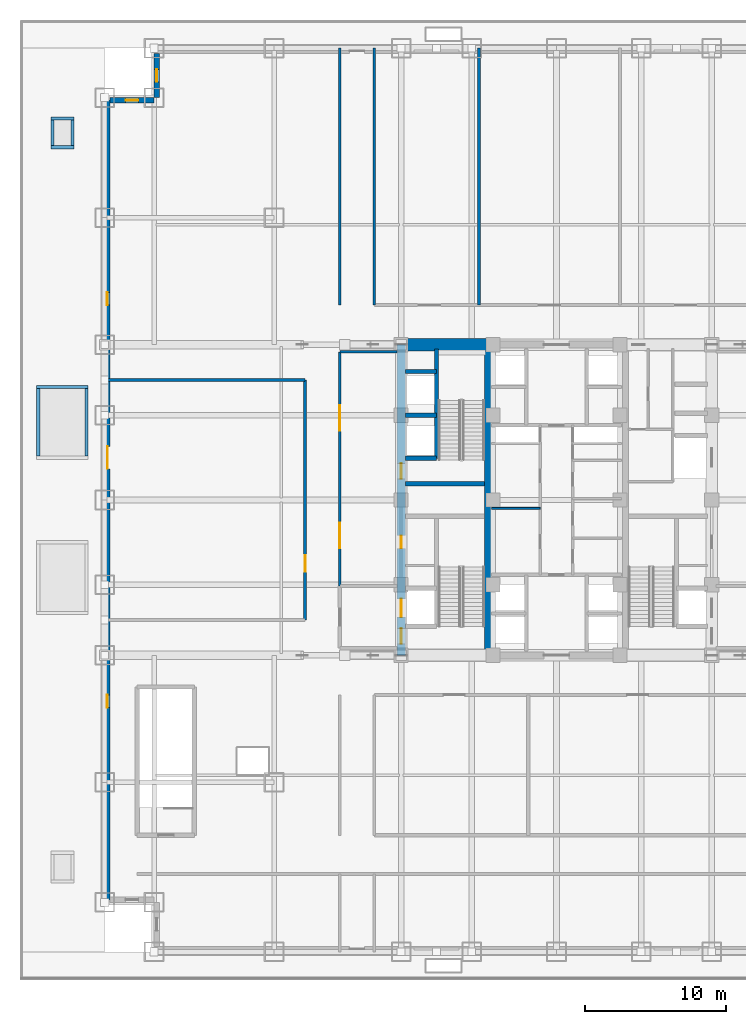
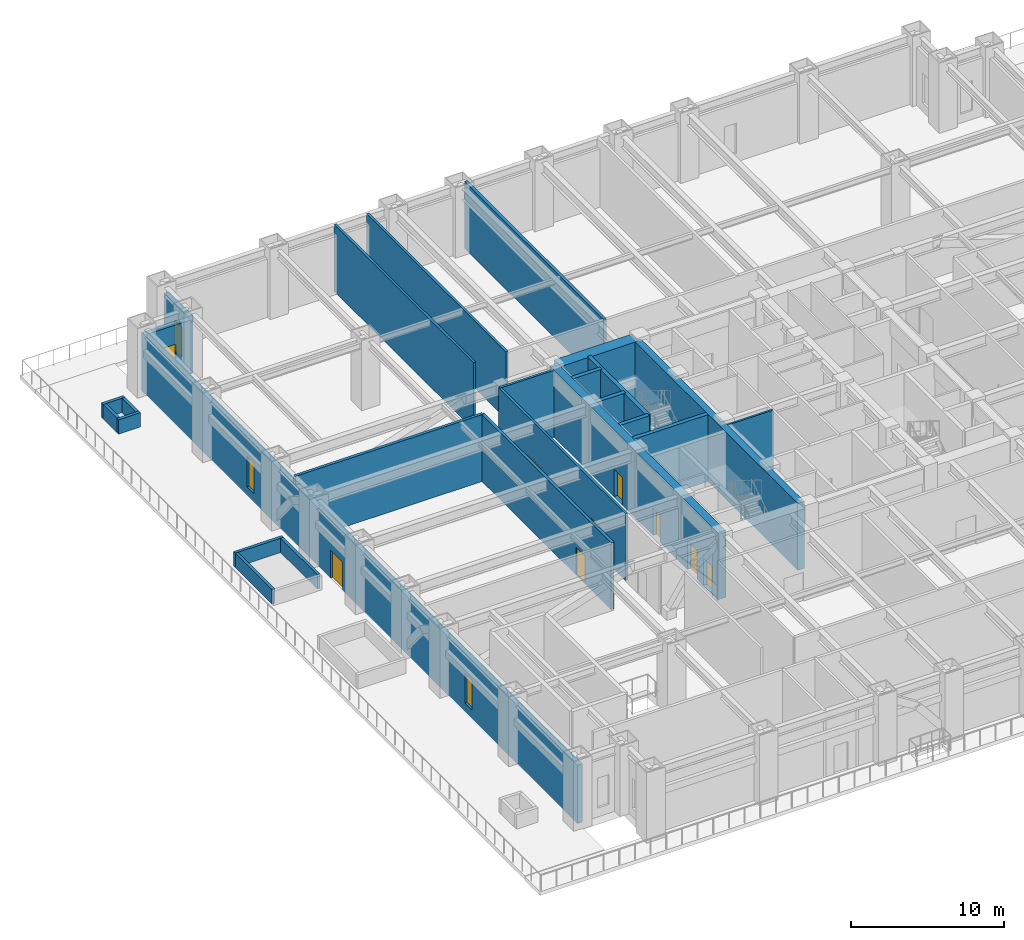
# One storey, part 13 of 21: 26 walls, 8 doors, 4 windows, 12 openings.
"""IFC4 building model written with IfcOpenShell, lengths in metres."""

from ifc_helpers import new_model, si_unit, direction, frame, frame_2d, origin, place, context, subcontext, project, spatial, rectangle, extrude, source, transform, mapped, material, layer, layer_set, type_object, element, fill, save


model = new_model("IFC4")

# Units and contexts
model_context = context("Model", 3, precision=1e-05, world=origin(), true_north=direction((0.0, 1.0)))
body_context = subcontext(model_context, "Body", "Model", "MODEL_VIEW")
ifc_project = project(units=[si_unit("LENGTHUNIT", "METRE"), si_unit("AREAUNIT", "SQUARE_METRE"), si_unit("VOLUMEUNIT", "CUBIC_METRE"), si_unit("PLANEANGLEUNIT", "RADIAN"), si_unit("MASSUNIT", "GRAM", prefix="KILO")], contexts=[model_context])

# Site, building, storey
site_placement = place(None, origin())
site = spatial("IfcSite", under=ifc_project, at=site_placement, CompositionType="ELEMENT")
building_placement = place(site_placement, origin())
building = spatial("IfcBuilding", under=site, at=building_placement, Name="Khorayat Bourse Tower", CompositionType="ELEMENT")
storey_placement = place(building_placement, frame((0.0, 0.0, 27.0)))
storey = spatial("IfcBuildingStorey", under=building, at=storey_placement, Name="L05", CompositionType="ELEMENT", Elevation=27.0)

# Wall, openings, doors
ifc_material_1 = material(Name="Concrete C60/75", Category="concrete")
ifc_layer_1 = layer(ifc_material_1, 0.60009765625)
ifc_layer_set_1 = layer_set([ifc_layer_1], Name="Concrete C60/75")
wall_type_1 = type_object("IfcWallType", Name="WAL-CORE-600", PredefinedType="SHEAR", material=ifc_layer_set_1)
shared_shape_1 = source(origin(), body_context, "Body", "SweptSolid", [
    extrude(rectangle(XDim=22.0, YDim=0.60009765625, at=frame_2d((11.0, 0.0))), origin(), (0.0, 0.0, 1.0), 5.340087890625),
])
wall_1_placement = place(storey_placement, frame((-11.0, -11.0, 0.0), z_axis=(0.0, 0.0, 1.0), x_axis=(0.0, 1.0, 0.0)))
wall_1 = element("IfcWall", 1, at=wall_1_placement, inside=storey, type_object=wall_type_1, Name="L05 Core Shear Wall CORE-W", PredefinedType="SHEAR", context=body_context, shape_type="MappedRepresentation", body=[
    mapped(shared_shape_1, transform((0.0, 0.0, 0.0), scale=1.0)),
])
shared_shape_2 = source(origin(), body_context, "Body", "SweptSolid", [
    extrude(rectangle(XDim=1.10009765625, YDim=2.199951171875, at=frame_2d((0.550048828125, 1.10009765625))), frame((0.0, 0.31005859375, 0.0), z_axis=(0.0, -1.0, 0.0), x_axis=(1.0, 0.0, 0.0)), (0.0, 0.0, 1.0), 0.6201171875),
])
opening_1_placement = place(wall_1_placement, frame((0.800048828125, 0.0, 0.0)))
opening_1 = element("IfcOpeningElement", 2, at=opening_1_placement, cuts=wall_1, Name="Opening DI-01", PredefinedType="OPENING", context=body_context, shape_type="MappedRepresentation", body=[
    mapped(shared_shape_2, transform((0.0, 0.0, 0.0), scale=1.0)),
])
opening_2_placement = place(wall_1_placement, frame((12.5, 0.0, 0.0)))
opening_2 = element("IfcOpeningElement", 3, at=opening_2_placement, cuts=wall_1, Name="Opening DI-01", PredefinedType="OPENING", context=body_context, shape_type="MappedRepresentation", body=[
    mapped(shared_shape_2, transform((0.0, 0.0, 0.0), scale=1.0)),
])
shared_shape_3 = source(origin(), body_context, "Body", "SweptSolid", [
    extrude(rectangle(XDim=0.89990234375, YDim=2.14990234375, at=frame_2d((0.449951171875, 1.074951171875))), frame((0.0, 0.31005859375, 0.0), z_axis=(0.0, -1.0, 0.0), x_axis=(1.0, 0.0, 0.0)), (0.0, 0.0, 1.0), 0.6201171875),
])
opening_3_placement = place(wall_1_placement, frame((7.574951171875, 0.0, 0.0)))
opening_3 = element("IfcOpeningElement", 4, at=opening_3_placement, cuts=wall_1, Name="Opening DI-06", PredefinedType="OPENING", context=body_context, shape_type="MappedRepresentation", body=[
    mapped(shared_shape_3, transform((0.0, 0.0, 0.0), scale=1.0)),
])
shared_shape_4 = source(origin(), body_context, "Body", "SweptSolid", [
    extrude(rectangle(XDim=1.300048828125, YDim=2.300048828125, at=frame_2d((0.64990234375, 1.14990234375))), frame((0.0, 0.31005859375, 0.0), z_axis=(0.0, -1.0, 0.0), x_axis=(1.0, 0.0, 0.0)), (0.0, 0.0, 1.0), 0.6201171875),
])
opening_4_placement = place(wall_1_placement, frame((2.699951171875, 0.0, 0.0)))
opening_4 = element("IfcOpeningElement", 5, at=opening_4_placement, cuts=wall_1, Name="Opening LD-02", PredefinedType="OPENING", context=body_context, shape_type="MappedRepresentation", body=[
    mapped(shared_shape_4, transform((0.0, 0.0, 0.0), scale=1.0)),
])
ifc_material_2 = material(Name="Fire-rated steel acoustic leaf", Category="steel")
door_type_1 = type_object("IfcDoorType", Name="DR-INT-STAIR-1100", OperationType="NOTDEFINED", PredefinedType="DOOR", material=ifc_material_2)
shared_shape_5 = source(origin(), body_context, "Body", "SweptSolid", [
    extrude(rectangle(XDim=1.10009765625, YDim=2.199951171875, at=frame_2d((0.550048828125, 1.10009765625))), frame((0.0, 0.02490234375, 0.0), z_axis=(0.0, -1.0, 0.0), x_axis=(1.0, 0.0, 0.0)), (0.0, 0.0, 1.0), 0.050048828125),
])
door_1_placement = place(opening_1_placement, origin())
door_1 = element("IfcDoor", 6, at=door_1_placement, inside=storey, type_object=door_type_1, Name="L05 Exit Stair 1 Door", OperationType="SINGLE_SWING_RIGHT", OverallHeight=2.199951171875, OverallWidth=1.10009765625, PredefinedType="DOOR", context=body_context, shape_type="MappedRepresentation", body=[
    mapped(shared_shape_5, transform((0.0, 0.0, 0.0), scale=1.0)),
])
fill(opening_1, door_1)
door_2_placement = place(opening_2_placement, origin())
door_2 = element("IfcDoor", 7, at=door_2_placement, inside=storey, type_object=door_type_1, Name="L05 Exit Stair 2 Door", OperationType="SINGLE_SWING_RIGHT", OverallHeight=2.199951171875, OverallWidth=1.10009765625, PredefinedType="DOOR", context=body_context, shape_type="MappedRepresentation", body=[
    mapped(shared_shape_5, transform((0.0, 0.0, 0.0), scale=1.0)),
])
fill(opening_2, door_2)
ifc_material_3 = material(Name="Moisture-resistant laminate washroom door")
door_type_2 = type_object("IfcDoorType", Name="DR-INT-WC-900", OperationType="NOTDEFINED", PredefinedType="DOOR", material=ifc_material_3)
shared_shape_6 = source(origin(), body_context, "Body", "SweptSolid", [
    extrude(rectangle(XDim=0.89990234375, YDim=2.14990234375, at=frame_2d((0.449951171875, 1.074951171875))), frame((0.0, 0.02490234375, 0.0), z_axis=(0.0, -1.0, 0.0), x_axis=(1.0, 0.0, 0.0)), (0.0, 0.0, 1.0), 0.050048828125),
])
door_3_placement = place(opening_3_placement, origin())
door_3 = element("IfcDoor", 8, at=door_3_placement, inside=storey, type_object=door_type_2, Name="L05 UPS Switch Plant Room Door", OperationType="SINGLE_SWING_RIGHT", OverallHeight=2.14990234375, OverallWidth=0.89990234375, PredefinedType="DOOR", context=body_context, shape_type="MappedRepresentation", body=[
    mapped(shared_shape_6, transform((0.0, 0.0, 0.0), scale=1.0)),
])
fill(opening_3, door_3)
ifc_material_4 = material(Name="Fire-rated stainless-steel sliding landing door", Category="steel")
door_type_3 = type_object("IfcDoorType", Name="DR-LIFT-FF-1300", OperationType="NOTDEFINED", PredefinedType="DOOR", material=ifc_material_4)
shared_shape_7 = source(origin(), body_context, "Body", "SweptSolid", [
    extrude(rectangle(XDim=1.300048828125, YDim=2.300048828125, at=frame_2d((0.64990234375, 1.14990234375))), frame((0.0, 0.02490234375, 0.0), z_axis=(0.0, -1.0, 0.0), x_axis=(1.0, 0.0, 0.0)), (0.0, 0.0, 1.0), 0.050048828125),
])
door_4_placement = place(opening_4_placement, origin())
door_4 = element("IfcDoor", 9, at=door_4_placement, inside=storey, type_object=door_type_3, Name="L05 Lift FFL-01 Sliding Landing Door", OperationType="SLIDING_TO_LEFT", OverallHeight=2.300048828125, OverallWidth=1.300048828125, PredefinedType="DOOR", context=body_context, shape_type="MappedRepresentation", body=[
    mapped(shared_shape_7, transform((0.0, 0.0, 0.0), scale=1.0)),
])
fill(opening_4, door_4)

# Walls
ifc_material_5 = material(Name="Concrete C52/65", Category="concrete")
ifc_layer_2 = layer(ifc_material_5, 0.5)
ifc_layer_set_2 = layer_set([ifc_layer_2], Name="Concrete C52/65")
wall_type_2 = type_object("IfcWallType", Name="WAL-CORE-500", PredefinedType="SHEAR", material=ifc_layer_set_2)
shared_shape_8 = source(origin(), body_context, "Body", "SweptSolid", [
    extrude(rectangle(XDim=21.39990234375, YDim=0.5, at=frame_2d((10.699951171875, 0.0))), origin(), (0.0, 0.0, 1.0), 5.340087890625),
])
wall_2_placement = place(storey_placement, frame((-4.85009765625, -10.699951171875, 0.0), z_axis=(0.0, 0.0, 1.0), x_axis=(0.0, 1.0, 0.0)))
element("IfcWall", 10, at=wall_2_placement, inside=storey, type_object=wall_type_2, Name="L05 Core Shear Wall PIER-W", PredefinedType="SHEAR", context=body_context, shape_type="MappedRepresentation", body=[
    mapped(shared_shape_8, transform((0.0, 0.0, 0.0), scale=1.0)),
])
ifc_material_6 = material(Name="Concrete C72/90", Category="concrete")
ifc_layer_3 = layer(ifc_material_6, 0.89990234375)
ifc_layer_set_3 = layer_set([ifc_layer_3], Name="Concrete C72/90")
wall_type_3 = type_object("IfcWallType", Name="WAL-CORE-900", PredefinedType="SHEAR", material=ifc_layer_set_3)
shared_shape_9 = source(origin(), body_context, "Body", "SweptSolid", [
    extrude(rectangle(XDim=5.849853515625, YDim=0.89990234375, at=frame_2d((2.9248046875, 0.0))), origin(), (0.0, 0.0, 1.0), 5.340087890625),
])
wall_3_placement = place(storey_placement, frame((-10.699951171875, 11.0, 0.0), z_axis=(0.0, 0.0, 1.0), x_axis=(1.0, 0.0, 0.0)))
element("IfcWall", 11, at=wall_3_placement, inside=storey, type_object=wall_type_3, Name="L05 Core Shear Wall PIER-WN", PredefinedType="SHEAR", context=body_context, shape_type="MappedRepresentation", body=[
    mapped(shared_shape_9, transform((0.0, 0.0, 0.0), scale=1.0)),
])
ifc_material_7 = material(Name="Concrete C50/60", Category="concrete")
ifc_layer_4 = layer(ifc_material_7, 0.300048828125)
ifc_layer_set_4 = layer_set([ifc_layer_4], Name="Concrete C50/60")
wall_type_4 = type_object("IfcWallType", Name="WAL-SHAFT-300", PredefinedType="SHEAR", material=ifc_layer_set_4)
shared_shape_10 = source(origin(), body_context, "Body", "SweptSolid", [
    extrude(rectangle(XDim=5.599853515625, YDim=0.300048828125, at=frame_2d((2.7998046875, 0.0))), origin(), (0.0, 0.0, 1.0), 5.340087890625),
])
wall_4_placement = place(storey_placement, frame((-10.699951171875, 1.14990234375, 0.0), z_axis=(0.0, 0.0, 1.0), x_axis=(1.0, 0.0, 0.0)))
element("IfcWall", 12, at=wall_4_placement, inside=storey, type_object=wall_type_4, Name="L05 Core Shear Wall ST2-DIV", PredefinedType="SHEAR", context=body_context, shape_type="MappedRepresentation", body=[
    mapped(shared_shape_10, transform((0.0, 0.0, 0.0), scale=1.0)),
])

# Wall, opening, window
ifc_material_8 = material(Name="Precast concrete C45/55", Category="concrete")
ifc_layer_5 = layer(ifc_material_8, 0.3798828125)
ifc_layer_set_5 = layer_set([ifc_layer_5], Name="Precast concrete C45/55")
wall_type_5 = type_object("IfcWallType", Name="WAL-EXT-STONE-380", PredefinedType="STANDARD", material=ifc_layer_set_5)
shared_shape_11 = source(origin(), body_context, "Body", "SweptSolid", [
    extrude(rectangle(XDim=3.1201171875, YDim=0.3798828125, at=frame_2d((1.56005859375, 0.0))), origin(), (0.0, 0.0, 1.0), 4.64501953125),
])
wall_5_placement = place(storey_placement, frame((-28.31005859375, 28.5, 0.0), z_axis=(0.0, 0.0, 1.0), x_axis=(0.0, 1.0, 0.0)))
wall_5 = element("IfcWall", 13, at=wall_5_placement, inside=storey, type_object=wall_type_5, Name="L05 Re-Entrant Notch Limestone Wall NW-V", PredefinedType="STANDARD", context=body_context, shape_type="MappedRepresentation", body=[
    mapped(shared_shape_11, transform((0.0, 0.0, 0.0), scale=1.0)),
])
shared_shape_12 = source(origin(), body_context, "Body", "SweptSolid", [
    extrude(rectangle(XDim=0.89990234375, YDim=2.39990234375, at=frame_2d((0.449951171875, 1.199951171875))), frame((0.0, 0.199951171875, 0.0), z_axis=(0.0, -1.0, 0.0), x_axis=(1.0, 0.0, 0.0)), (0.0, 0.0, 1.0), 0.39990234375),
])
opening_5_placement = place(wall_5_placement, frame((1.110107421875, 0.0, 0.699951171875)))
opening_5 = element("IfcOpeningElement", 14, at=opening_5_placement, cuts=wall_5, Name="Opening WN-03", PredefinedType="OPENING", context=body_context, shape_type="MappedRepresentation", body=[
    mapped(shared_shape_12, transform((0.0, 0.0, 0.0), scale=1.0)),
])
ifc_material_9 = material(Name="Deep-reveal solar-control double glazing", Category="glass")
window_type = type_object("IfcWindowType", Name="WIN-SLOT-900x2400", PartitioningType="SINGLE_PANEL", PredefinedType="WINDOW", material=ifc_material_9)
shared_shape_13 = source(origin(), body_context, "Body", "SweptSolid", [
    extrude(rectangle(XDim=0.89990234375, YDim=2.39990234375, at=frame_2d((0.449951171875, 1.199951171875))), frame((0.0, 0.030029296875, 0.0), z_axis=(0.0, -1.0, 0.0), x_axis=(1.0, 0.0, 0.0)), (0.0, 0.0, 1.0), 0.06005859375),
])
window_1_placement = place(opening_5_placement, origin())
window_1 = element("IfcWindow", 15, at=window_1_placement, inside=storey, type_object=window_type, Name="L05 Facade Window 1", OverallHeight=2.39990234375, OverallWidth=0.89990234375, PartitioningType="SINGLE_PANEL", PredefinedType="WINDOW", context=body_context, shape_type="MappedRepresentation", body=[
    mapped(shared_shape_13, transform((0.0, 0.0, 0.0), scale=1.0)),
])
fill(opening_5, window_1)

wall_6_placement = place(storey_placement, frame((-28.5, 28.31005859375, 0.0), z_axis=(0.0, 0.0, 1.0), x_axis=(-1.0, 0.0, 0.0)))
wall_6 = element("IfcWall", 16, at=wall_6_placement, inside=storey, type_object=wall_type_5, Name="L05 Re-Entrant Notch Limestone Wall NW-H", PredefinedType="STANDARD", context=body_context, shape_type="MappedRepresentation", body=[
    mapped(shared_shape_11, transform((0.0, 0.0, 0.0), scale=1.0)),
])
opening_6_placement = place(wall_6_placement, frame((1.110107421875, 0.0, 0.699951171875)))
opening_6 = element("IfcOpeningElement", 17, at=opening_6_placement, cuts=wall_6, Name="Opening WN-03", PredefinedType="OPENING", context=body_context, shape_type="MappedRepresentation", body=[
    mapped(shared_shape_12, transform((0.0, 0.0, 0.0), scale=1.0)),
])
window_2_placement = place(opening_6_placement, origin())
window_2 = element("IfcWindow", 18, at=window_2_placement, inside=storey, type_object=window_type, Name="L05 Facade Window 1", OverallHeight=2.39990234375, OverallWidth=0.89990234375, PartitioningType="SINGLE_PANEL", PredefinedType="WINDOW", context=body_context, shape_type="MappedRepresentation", body=[
    mapped(shared_shape_13, transform((0.0, 0.0, 0.0), scale=1.0)),
])
fill(opening_6, window_2)

# Wall, openings, door, windows
shared_shape_14 = source(origin(), body_context, "Body", "SweptSolid", [
    extrude(rectangle(XDim=57.0, YDim=0.3798828125, at=frame_2d((28.5, 0.0))), origin(), (0.0, 0.0, 1.0), 4.64501953125),
])
wall_7_placement = place(storey_placement, frame((-31.81005859375, -28.5, 0.0), z_axis=(0.0, 0.0, 1.0), x_axis=(0.0, 1.0, 0.0)))
wall_7 = element("IfcWall", 19, at=wall_7_placement, inside=storey, type_object=wall_type_5, Name="L05 Plant Perimeter Wall W", PredefinedType="STANDARD", context=body_context, shape_type="MappedRepresentation", body=[
    mapped(shared_shape_14, transform((0.0, 0.0, 0.0), scale=1.0)),
])
shared_shape_15 = source(origin(), body_context, "Body", "SweptSolid", [
    extrude(rectangle(XDim=1.60009765625, YDim=2.25, at=frame_2d((0.800048828125, 1.125))), frame((0.0, 0.199951171875, 0.0), z_axis=(0.0, -1.0, 0.0), x_axis=(1.0, 0.0, 0.0)), (0.0, 0.0, 1.0), 0.39990234375),
])
opening_7_placement = place(wall_7_placement, frame((30.699951171875, 0.0, 0.0)))
opening_7 = element("IfcOpeningElement", 20, at=opening_7_placement, cuts=wall_7, Name="Opening DE-04", PredefinedType="OPENING", context=body_context, shape_type="MappedRepresentation", body=[
    mapped(shared_shape_15, transform((0.0, 0.0, 0.0), scale=1.0)),
])
opening_8_placement = place(wall_7_placement, frame((13.800048828125, 0.0, 0.699951171875)))
opening_8 = element("IfcOpeningElement", 21, at=opening_8_placement, cuts=wall_7, Name="Opening WN-03", PredefinedType="OPENING", context=body_context, shape_type="MappedRepresentation", body=[
    mapped(shared_shape_12, transform((0.0, 0.0, 0.0), scale=1.0)),
])
opening_9_placement = place(wall_7_placement, frame((42.300048828125, 0.0, 0.699951171875)))
opening_9 = element("IfcOpeningElement", 22, at=opening_9_placement, cuts=wall_7, Name="Opening WN-03", PredefinedType="OPENING", context=body_context, shape_type="MappedRepresentation", body=[
    mapped(shared_shape_12, transform((0.0, 0.0, 0.0), scale=1.0)),
])
ifc_material_10 = material(Name="Thermally broken aluminium terrace double door", Category="aluminium")
door_type_4 = type_object("IfcDoorType", Name="DR-EXT-TERR-1600", OperationType="NOTDEFINED", PredefinedType="DOOR", material=ifc_material_10)
shared_shape_16 = source(origin(), body_context, "Body", "SweptSolid", [
    extrude(rectangle(XDim=1.60009765625, YDim=2.25, at=frame_2d((0.800048828125, 1.125))), frame((0.0, 0.02490234375, 0.0), z_axis=(0.0, -1.0, 0.0), x_axis=(1.0, 0.0, 0.0)), (0.0, 0.0, 1.0), 0.050048828125),
])
door_5_placement = place(opening_7_placement, origin())
door_5 = element("IfcDoor", 23, at=door_5_placement, inside=storey, type_object=door_type_4, Name="L05 West Roof Terrace Door", OperationType="DOUBLE_DOOR_SINGLE_SWING", OverallHeight=2.25, OverallWidth=1.60009765625, PredefinedType="DOOR", context=body_context, shape_type="MappedRepresentation", body=[
    mapped(shared_shape_16, transform((0.0, 0.0, 0.0), scale=1.0)),
])
fill(opening_7, door_5)
window_3_placement = place(opening_8_placement, origin())
window_3 = element("IfcWindow", 24, at=window_3_placement, inside=storey, type_object=window_type, Name="L05 Facade Window 1", OverallHeight=2.39990234375, OverallWidth=0.89990234375, PartitioningType="SINGLE_PANEL", PredefinedType="WINDOW", context=body_context, shape_type="MappedRepresentation", body=[
    mapped(shared_shape_13, transform((0.0, 0.0, 0.0), scale=1.0)),
])
fill(opening_8, window_3)
window_4_placement = place(opening_9_placement, origin())
window_4 = element("IfcWindow", 25, at=window_4_placement, inside=storey, type_object=window_type, Name="L05 Facade Window 3", OverallHeight=2.39990234375, OverallWidth=0.89990234375, PartitioningType="SINGLE_PANEL", PredefinedType="WINDOW", context=body_context, shape_type="MappedRepresentation", body=[
    mapped(shared_shape_13, transform((0.0, 0.0, 0.0), scale=1.0)),
])
fill(opening_9, window_4)

# Walls
ifc_layer_6 = layer(ifc_material_8, 0.219970703125)
ifc_layer_set_6 = layer_set([ifc_layer_6], Name="Precast concrete C45/55")
wall_type_6 = type_object("IfcWallType", Name="WAL-PARAPET-220", PredefinedType="PARAPET", material=ifc_layer_set_6)
shared_shape_17 = source(origin(), body_context, "Body", "SweptSolid", [
    extrude(rectangle(XDim=1.64013671875, YDim=0.219970703125, at=frame_2d((0.820068359375, 0.0))), origin(), (0.0, 0.0, 1.0), 1.14990234375),
])
for number, where, z_axis, x_axis, name in (
    (26, (-35.820068359375, 24.989990234375, 0.050048828125), (0.0, 0.0, 1.0), (1.0, 0.0, 0.0), "L05 Roof Opening Upstand Curb HT-ST2-S"),
    (27, (-35.820068359375, 27.010009765625, 0.050048828125), (0.0, 0.0, 1.0), (1.0, 0.0, 0.0), "L05 Roof Opening Upstand Curb HT-ST2-N"),
):
    element("IfcWall", number, at=place(storey_placement, frame(where, z_axis=z_axis, x_axis=x_axis)), inside=storey, type_object=wall_type_6, Name=name, PredefinedType="PARAPET", context=body_context, shape_type="MappedRepresentation", body=[
        mapped(shared_shape_17, transform((0.0, 0.0, 0.0), scale=1.0)),
    ])
shared_shape_18 = source(origin(), body_context, "Body", "SweptSolid", [
    extrude(rectangle(XDim=1.7998046875, YDim=0.219970703125, at=frame_2d((0.89990234375, 0.0))), origin(), (0.0, 0.0, 1.0), 1.14990234375),
])
for number, where, z_axis, x_axis, name in (
    (28, (-35.7099609375, 25.10009765625, 0.050048828125), (0.0, 0.0, 1.0), (0.0, 1.0, 0.0), "L05 Roof Opening Upstand Curb HT-ST2-W"),
    (29, (-34.2900390625, 25.10009765625, 0.050048828125), (0.0, 0.0, 1.0), (0.0, 1.0, 0.0), "L05 Roof Opening Upstand Curb HT-ST2-E"),
):
    element("IfcWall", number, at=place(storey_placement, frame(where, z_axis=z_axis, x_axis=x_axis)), inside=storey, type_object=wall_type_6, Name=name, PredefinedType="PARAPET", context=body_context, shape_type="MappedRepresentation", body=[
        mapped(shared_shape_18, transform((0.0, 0.0, 0.0), scale=1.0)),
    ])
shared_shape_19 = source(origin(), body_context, "Body", "SweptSolid", [
    extrude(rectangle(XDim=3.64013671875, YDim=0.219970703125, at=frame_2d((1.820068359375, 0.0))), origin(), (0.0, 0.0, 1.0), 1.14990234375),
])
wall_8_placement = place(storey_placement, frame((-36.820068359375, 8.010009765625, 0.050048828125), z_axis=(0.0, 0.0, 1.0), x_axis=(1.0, 0.0, 0.0)))
element("IfcWall", 30, at=wall_8_placement, inside=storey, type_object=wall_type_6, Name="L05 Roof Opening Upstand Curb SKY-L05-N-N", PredefinedType="PARAPET", context=body_context, shape_type="MappedRepresentation", body=[
    mapped(shared_shape_19, transform((0.0, 0.0, 0.0), scale=1.0)),
])
shared_shape_20 = source(origin(), body_context, "Body", "SweptSolid", [
    extrude(rectangle(XDim=4.7998046875, YDim=0.219970703125, at=frame_2d((2.39990234375, 0.0))), origin(), (0.0, 0.0, 1.0), 1.14990234375),
])
for number, where, z_axis, x_axis, name in (
    (31, (-36.7099609375, 3.10009765625, 0.050048828125), (0.0, 0.0, 1.0), (0.0, 1.0, 0.0), "L05 Roof Opening Upstand Curb SKY-L05-N-W"),
    (32, (-33.2900390625, 3.10009765625, 0.050048828125), (0.0, 0.0, 1.0), (0.0, 1.0, 0.0), "L05 Roof Opening Upstand Curb SKY-L05-N-E"),
):
    element("IfcWall", number, at=place(storey_placement, frame(where, z_axis=z_axis, x_axis=x_axis)), inside=storey, type_object=wall_type_6, Name=name, PredefinedType="PARAPET", context=body_context, shape_type="MappedRepresentation", body=[
        mapped(shared_shape_20, transform((0.0, 0.0, 0.0), scale=1.0)),
    ])
shared_shape_21 = source(origin(), body_context, "Body", "SweptSolid", [
    extrude(rectangle(XDim=2.199951171875, YDim=0.300048828125, at=frame_2d((1.10009765625, 0.0))), origin(), (0.0, 0.0, 1.0), 5.340087890625),
])
for number, where, z_axis, x_axis, name in (
    (33, (-10.699951171875, 2.949951171875, 0.0), (0.0, 0.0, 1.0), (1.0, 0.0, 0.0), "L05 Partition WAL-L05-WPIER-H1S"),
    (34, (-10.699951171875, 6.0, 0.0), (0.0, 0.0, 1.0), (1.0, 0.0, 0.0), "L05 Partition WAL-L05-WPIER-H12"),
    (35, (-10.699951171875, 9.10009765625, 0.0), (0.0, 0.0, 1.0), (1.0, 0.0, 0.0), "L05 Partition WAL-L05-WPIER-H2N"),
):
    element("IfcWall", number, at=place(storey_placement, frame(where, z_axis=z_axis, x_axis=x_axis)), inside=storey, type_object=wall_type_4, Name=name, PredefinedType="SHEAR", context=body_context, shape_type="MappedRepresentation", body=[
        mapped(shared_shape_21, transform((0.0, 0.0, 0.0), scale=1.0)),
    ])
shared_shape_22 = source(origin(), body_context, "Body", "SweptSolid", [
    extrude(rectangle(XDim=7.75, YDim=0.300048828125, at=frame_2d((3.875, 0.0))), origin(), (0.0, 0.0, 1.0), 5.340087890625),
])
wall_9_placement = place(storey_placement, frame((-8.5, 2.949951171875, 0.0), z_axis=(0.0, 0.0, 1.0), x_axis=(0.0, 1.0, 0.0)))
element("IfcWall", 36, at=wall_9_placement, inside=storey, type_object=wall_type_4, Name="L05 Partition WAL-L05-WPIER-ST2S", PredefinedType="SHEAR", context=body_context, shape_type="MappedRepresentation", body=[
    mapped(shared_shape_22, transform((0.0, 0.0, 0.0), scale=1.0)),
])
ifc_material_11 = material(Name="Gypsum plasterboard acoustic stud wall")
ifc_layer_7 = layer(ifc_material_11, 0.179931640625)
ifc_layer_set_7 = layer_set([ifc_layer_7], Name="Gypsum plasterboard acoustic stud wall")
wall_type_7 = type_object("IfcWallType", Name="WAL-PART-CORR-180", PredefinedType="PARTITIONING", material=ifc_layer_set_7)
shared_shape_23 = source(origin(), body_context, "Body", "SweptSolid", [
    extrude(rectangle(XDim=4.050048828125, YDim=0.179931640625, at=frame_2d((2.02490234375, 0.0))), origin(), (0.0, 0.0, 1.0), 5.340087890625),
])
wall_10_placement = place(storey_placement, frame((-15.35009765625, 10.5, 0.0), z_axis=(0.0, 0.0, 1.0), x_axis=(1.0, 0.0, 0.0)))
element("IfcWall", 37, at=wall_10_placement, inside=storey, type_object=wall_type_7, Name="L05 Partition WAL-L05-WLOB-N", PredefinedType="PARTITIONING", context=body_context, shape_type="MappedRepresentation", body=[
    mapped(shared_shape_23, transform((0.0, 0.0, 0.0), scale=1.0)),
])

# Wall, openings, doors
shared_shape_24 = source(origin(), body_context, "Body", "SweptSolid", [
    extrude(rectangle(XDim=16.60009765625, YDim=0.179931640625, at=frame_2d((8.300048828125, 0.0))), origin(), (0.0, 0.0, 1.0), 5.340087890625),
])
wall_11_placement = place(storey_placement, frame((-15.35009765625, -6.10009765625, 0.0), z_axis=(0.0, 0.0, 1.0), x_axis=(0.0, 1.0, 0.0)))
wall_11 = element("IfcWall", 38, at=wall_11_placement, inside=storey, type_object=wall_type_7, Name="L05 Partition WAL-L05-WLOB-W", PredefinedType="PARTITIONING", context=body_context, shape_type="MappedRepresentation", body=[
    mapped(shared_shape_24, transform((0.0, 0.0, 0.0), scale=1.0)),
])
shared_shape_25 = source(origin(), body_context, "Body", "SweptSolid", [
    extrude(rectangle(XDim=1.800048828125, YDim=2.25, at=frame_2d((0.89990234375, 1.125))), frame((0.0, 0.099853515625, 0.0), z_axis=(0.0, -1.0, 0.0), x_axis=(1.0, 0.0, 0.0)), (0.0, 0.0, 1.0), 0.199951171875),
])
opening_10_placement = place(wall_11_placement, frame((2.699951171875, 0.0, 0.0)))
opening_10 = element("IfcOpeningElement", 39, at=opening_10_placement, cuts=wall_11, Name="Opening DI-03", PredefinedType="OPENING", context=body_context, shape_type="MappedRepresentation", body=[
    mapped(shared_shape_25, transform((0.0, 0.0, 0.0), scale=1.0)),
])
opening_11_placement = place(wall_11_placement, frame((11.0, 0.0, 0.0)))
opening_11 = element("IfcOpeningElement", 40, at=opening_11_placement, cuts=wall_11, Name="Opening DI-03", PredefinedType="OPENING", context=body_context, shape_type="MappedRepresentation", body=[
    mapped(shared_shape_25, transform((0.0, 0.0, 0.0), scale=1.0)),
])
ifc_material_12 = material(Name="Fire-rated hardwood vision-panel double leaf", Category="wood")
door_type_5 = type_object("IfcDoorType", Name="DR-INT-CORR-1800", OperationType="NOTDEFINED", PredefinedType="DOOR", material=ifc_material_12)
shared_shape_26 = source(origin(), body_context, "Body", "SweptSolid", [
    extrude(rectangle(XDim=1.800048828125, YDim=2.25, at=frame_2d((0.89990234375, 1.125))), frame((0.0, 0.02490234375, 0.0), z_axis=(0.0, -1.0, 0.0), x_axis=(1.0, 0.0, 0.0)), (0.0, 0.0, 1.0), 0.050048828125),
])
door_6_placement = place(opening_10_placement, origin())
door_6 = element("IfcDoor", 41, at=door_6_placement, inside=storey, type_object=door_type_5, Name="L05 West Core Lobby South Door", OperationType="SINGLE_SWING_LEFT", OverallHeight=2.25, OverallWidth=1.800048828125, PredefinedType="DOOR", context=body_context, shape_type="MappedRepresentation", body=[
    mapped(shared_shape_26, transform((0.0, 0.0, 0.0), scale=1.0)),
])
fill(opening_10, door_6)
door_7_placement = place(opening_11_placement, origin())
door_7 = element("IfcDoor", 42, at=door_7_placement, inside=storey, type_object=door_type_5, Name="L05 West Core Lobby North Door", OperationType="SINGLE_SWING_RIGHT", OverallHeight=2.25, OverallWidth=1.800048828125, PredefinedType="DOOR", context=body_context, shape_type="MappedRepresentation", body=[
    mapped(shared_shape_26, transform((0.0, 0.0, 0.0), scale=1.0)),
])
fill(opening_11, door_7)

# Walls
ifc_material_13 = material(Name="Moisture-resistant masonry partition", Category="masonry")
ifc_layer_8 = layer(ifc_material_13, 0.139892578125)
ifc_layer_set_8 = layer_set([ifc_layer_8], Name="Moisture-resistant masonry partition")
wall_type_8 = type_object("IfcWallType", Name="WAL-PART-WET-140", PredefinedType="PARTITIONING", material=ifc_layer_set_8)
shared_shape_27 = source(origin(), body_context, "Body", "SweptSolid", [
    extrude(rectangle(XDim=3.4501953125, YDim=0.139892578125, at=frame_2d((1.72509765625, 0.0))), origin(), (0.0, 0.0, 1.0), 5.340087890625),
])
wall_12_placement = place(storey_placement, frame((-4.60009765625, -0.60009765625, 0.0), z_axis=(0.0, 0.0, 1.0), x_axis=(1.0, 0.0, 0.0)))
element("IfcWall", 43, at=wall_12_placement, inside=storey, type_object=wall_type_8, Name="L05 Partition WAL-L05-CMW-D1", PredefinedType="PARTITIONING", context=body_context, shape_type="MappedRepresentation", body=[
    mapped(shared_shape_27, transform((0.0, 0.0, 0.0), scale=1.0)),
])
ifc_material_14 = material(Name="Aerated concrete blockwork", Category="masonry")
ifc_layer_9 = layer(ifc_material_14, 0.219970703125)
ifc_layer_set_9 = layer_set([ifc_layer_9], Name="Aerated concrete blockwork")
wall_type_9 = type_object("IfcWallType", Name="WAL-PART-FF-220", PredefinedType="PARTITIONING", material=ifc_layer_set_9)
shared_shape_28 = source(origin(), body_context, "Body", "SweptSolid", [
    extrude(rectangle(XDim=18.199951171875, YDim=0.219970703125, at=frame_2d((9.10009765625, 0.0))), origin(), (0.0, 0.0, 1.0), 5.340087890625),
])
wall_13_placement = place(storey_placement, frame((-5.5, 13.800048828125, 0.0), z_axis=(0.0, 0.0, 1.0), x_axis=(0.0, 1.0, 0.0)))
element("IfcWall", 44, at=wall_13_placement, inside=storey, type_object=wall_type_9, Name="L05 Partition WAL-L05-PLN-D1", PredefinedType="PARTITIONING", context=body_context, shape_type="MappedRepresentation", body=[
    mapped(shared_shape_28, transform((0.0, 0.0, 0.0), scale=1.0)),
])
shared_shape_29 = source(origin(), body_context, "Body", "SweptSolid", [
    extrude(rectangle(XDim=14.199951171875, YDim=0.219970703125, at=frame_2d((7.10009765625, 0.0))), origin(), (0.0, 0.0, 1.0), 5.340087890625),
])
wall_14_placement = place(storey_placement, frame((-32.0, 8.5, 0.0), z_axis=(0.0, 0.0, 1.0), x_axis=(1.0, 0.0, 0.0)))
element("IfcWall", 45, at=wall_14_placement, inside=storey, type_object=wall_type_9, Name="L05 Partition WAL-L05-PLW-N", PredefinedType="PARTITIONING", context=body_context, shape_type="MappedRepresentation", body=[
    mapped(shared_shape_29, transform((0.0, 0.0, 0.0), scale=1.0)),
])

# Wall, opening, door
shared_shape_30 = source(origin(), body_context, "Body", "SweptSolid", [
    extrude(rectangle(XDim=17.0, YDim=0.219970703125, at=frame_2d((8.5, 0.0))), origin(), (0.0, 0.0, 1.0), 5.340087890625),
])
wall_15_placement = place(storey_placement, frame((-17.800048828125, -8.5, 0.0), z_axis=(0.0, 0.0, 1.0), x_axis=(0.0, 1.0, 0.0)))
wall_15 = element("IfcWall", 46, at=wall_15_placement, inside=storey, type_object=wall_type_9, Name="L05 Partition WAL-L05-PLW-E", PredefinedType="PARTITIONING", context=body_context, shape_type="MappedRepresentation", body=[
    mapped(shared_shape_30, transform((0.0, 0.0, 0.0), scale=1.0)),
])
shared_shape_31 = source(origin(), body_context, "Body", "SweptSolid", [
    extrude(rectangle(XDim=1.199951171875, YDim=2.199951171875, at=frame_2d((0.60009765625, 1.10009765625))), frame((0.0, 0.119873046875, 0.0), z_axis=(0.0, -1.0, 0.0), x_axis=(1.0, 0.0, 0.0)), (0.0, 0.0, 1.0), 0.239990234375),
])
opening_12_placement = place(wall_15_placement, frame((3.39990234375, 0.0, 0.0)))
opening_12 = element("IfcOpeningElement", 47, at=opening_12_placement, cuts=wall_15, Name="Opening DI-02", PredefinedType="OPENING", context=body_context, shape_type="MappedRepresentation", body=[
    mapped(shared_shape_31, transform((0.0, 0.0, 0.0), scale=1.0)),
])
ifc_material_15 = material(Name="Fire-rated steel double-seal leaf", Category="steel")
door_type_6 = type_object("IfcDoorType", Name="DR-INT-FFLOBBY-1200", OperationType="NOTDEFINED", PredefinedType="DOOR", material=ifc_material_15)
shared_shape_32 = source(origin(), body_context, "Body", "SweptSolid", [
    extrude(rectangle(XDim=1.199951171875, YDim=2.199951171875, at=frame_2d((0.60009765625, 1.10009765625))), frame((0.0, 0.02490234375, 0.0), z_axis=(0.0, -1.0, 0.0), x_axis=(1.0, 0.0, 0.0)), (0.0, 0.0, 1.0), 0.050048828125),
])
door_8_placement = place(opening_12_placement, origin())
door_8 = element("IfcDoor", 48, at=door_8_placement, inside=storey, type_object=door_type_6, Name="L05 Protected Area of Refuge West South Door", OperationType="SINGLE_SWING_LEFT", OverallHeight=2.199951171875, OverallWidth=1.199951171875, PredefinedType="DOOR", context=body_context, shape_type="MappedRepresentation", body=[
    mapped(shared_shape_32, transform((0.0, 0.0, 0.0), scale=1.0)),
])
fill(opening_12, door_8)

# Walls
shared_shape_33 = source(origin(), body_context, "Body", "SweptSolid", [
    extrude(rectangle(XDim=18.199951171875, YDim=0.179931640625, at=frame_2d((9.10009765625, 0.0))), origin(), (0.0, 0.0, 1.0), 5.340087890625),
])
for number, where, z_axis, x_axis, name in (
    (49, (-15.35009765625, 13.800048828125, 0.0), (0.0, 0.0, 1.0), (0.0, 1.0, 0.0), "L05 Partition WAL-L05-TCORRN-W"),
    (50, (-12.89990234375, 13.800048828125, 0.0), (0.0, 0.0, 1.0), (0.0, 1.0, 0.0), "L05 Partition WAL-L05-TCORRN-E"),
):
    element("IfcWall", number, at=place(storey_placement, frame(where, z_axis=z_axis, x_axis=x_axis)), inside=storey, type_object=wall_type_7, Name=name, PredefinedType="PARTITIONING", context=body_context, shape_type="MappedRepresentation", body=[
        mapped(shared_shape_33, transform((0.0, 0.0, 0.0), scale=1.0)),
    ])

save(model, "model.ifc")
